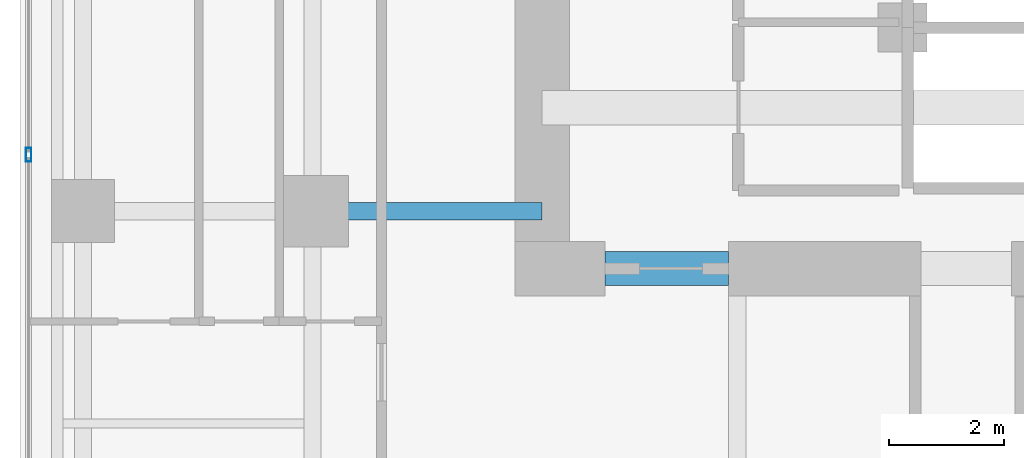
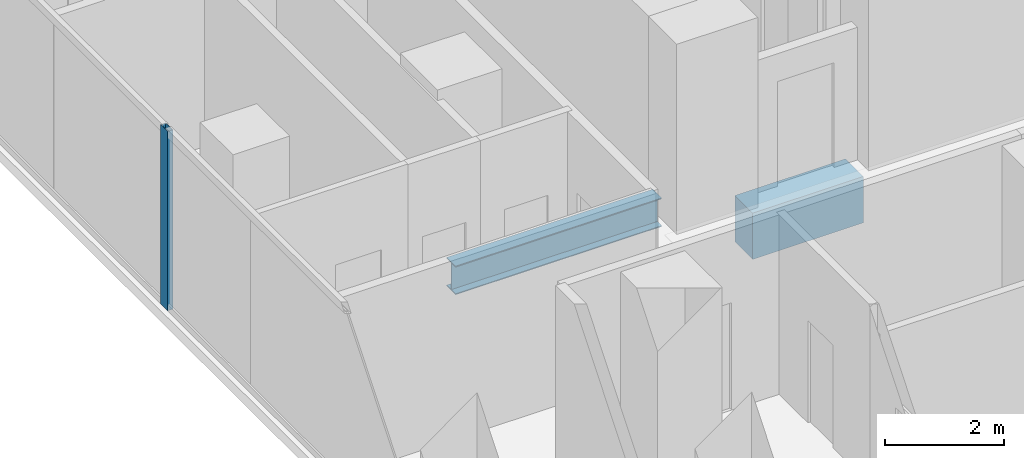
# One storey, part 6 of 29: 2 beams, 1 member, 1 element without a shape of its own.
"""IFC4 building model written with IfcOpenShell, lengths in metres."""

from ifc_helpers import new_model, si_unit, direction, frame, origin, origin_2d, place, context, subcontext, project, spatial, rectangle, hollow_rectangle, i_section, extrude, material, layer, layer_set, material_profile, profile_set, type_object, element, aggregate, save


model = new_model("IFC4")

# Units and contexts
model_context = context("Model", 3, precision=1e-05, world=origin(), true_north=direction((0.0, 1.0)))
body_context = subcontext(model_context, "Body", "Model", "MODEL_VIEW")
ifc_project = project(units=[si_unit("LENGTHUNIT", "METRE"), si_unit("AREAUNIT", "SQUARE_METRE"), si_unit("VOLUMEUNIT", "CUBIC_METRE"), si_unit("PLANEANGLEUNIT", "RADIAN"), si_unit("MASSUNIT", "GRAM", prefix="KILO")], contexts=[model_context])

# Site, building, storey
site_placement = place(None, origin())
site = spatial("IfcSite", under=ifc_project, at=site_placement, CompositionType="ELEMENT")
building_placement = place(site_placement, origin())
building = spatial("IfcBuilding", under=site, at=building_placement, Name="Khorvyn Point Tower", CompositionType="ELEMENT")
storey_placement = place(building_placement, frame((0.0, 0.0, 140.699951171875)))
storey = spatial("IfcBuildingStorey", under=building, at=storey_placement, Name="L35", CompositionType="ELEMENT", Elevation=140.699951171875)

# Curtain wall, member
ifc_material_1 = material(Name="Anodised aluminium 6063-T6 and laminated Low-E glass", Category="aluminium")
ifc_layer = layer(ifc_material_1, 0.18994140625)
ifc_layer_set = layer_set([ifc_layer], Name="Stick-Built Acoustic Curtain Wall CW-SYS-03")
curtain_wall_type = type_object("IfcCurtainWallType", Name="Stick-Built Acoustic Curtain Wall CW-SYS-03", PredefinedType="NOTDEFINED", material=ifc_layer_set)
curtain_wall_placement = place(storey_placement, origin())
curtain_wall = element("IfcCurtainWall", 1, at=curtain_wall_placement, inside=storey, type_object=curtain_wall_type, Name="Curtain Wall", PredefinedType="NOTDEFINED")
ifc_material_2 = material(Name="Anodised aluminium 6063-T6", Category="aluminium")
ifc_material_profile_1 = material_profile(ifc_material_2, hollow_rectangle(XDim=0.10009765625, YDim=0.239990234375, WallThickness=0.0048828125, at=origin_2d()))
ifc_profile_set_1 = profile_set([ifc_material_profile_1], Name="Anodised aluminium 6063-T6 ALU-MUL-100x240")
member_type = type_object("IfcMemberType", Name="Anodised Aluminium 6063-T6 Mullion ALU-MUL-100x240", PredefinedType="MULLION", material=ifc_profile_set_1)
member_placement = place(storey_placement, frame((-19.75, -6.416748046875, 0.0), z_axis=(0.0, 0.0, 1.0), x_axis=(-1.0, 0.0, 0.0)))
member = element("IfcMember", 2, at=member_placement, type_object=member_type, Name="Transom", PredefinedType="MULLION", context=body_context, shape_type="SweptSolid", body=[
    extrude(hollow_rectangle(XDim=0.10009765625, YDim=0.239990234375, WallThickness=0.0048828125, at=origin_2d()), origin(), (0.0, 0.0, 1.0), 3.679931640625),
])
aggregate(curtain_wall, [member])

# Beams
ifc_material_3 = material(Name="Concrete C50/60", Category="concrete")
ifc_material_profile_2 = material_profile(ifc_material_3, rectangle(XDim=0.60009765625, YDim=0.949951171875, at=origin_2d()))
ifc_profile_set_2 = profile_set([ifc_material_profile_2], Name="Concrete C50/60 RC600x950")
beam_type_1 = type_object("IfcBeamType", Name="Concrete C50/60 Beam RC600x950", PredefinedType="BEAM", material=ifc_profile_set_2)
beam_1_placement = place(storey_placement, frame((-9.699951171875, -8.39990234375, -0.695068359375), z_axis=(1.0, 0.0, 0.0), x_axis=(0.0, 1.0, 0.0)))
element("IfcBeam", 3, at=beam_1_placement, inside=storey, type_object=beam_type_1, Name="L35 Core Southwest Portal Coupling Beam", PredefinedType="BEAM", context=body_context, shape_type="SweptSolid", body=[
    extrude(rectangle(XDim=0.60009765625, YDim=0.949951171875, at=origin_2d()), origin(), (0.0, 0.0, 1.0), 2.14990234375),
])
ifc_material_4 = material(Name="Steel S355", Category="steel")
ifc_material_profile_3 = material_profile(ifc_material_4, i_section(OverallWidth=0.300048828125, OverallDepth=0.587890625, WebThickness=0.011962890625, FlangeThickness=0.02001953125, at=origin_2d()))
ifc_profile_set_3 = profile_set([ifc_material_profile_3], Name="Steel S355 H588x300x12x20")
beam_type_2 = type_object("IfcBeamType", Name="Steel S355 Beam H588x300x12x20", PredefinedType="BEAM", material=ifc_profile_set_3)
beam_2_placement = place(storey_placement, frame((-14.800048828125, -7.39990234375, -0.513916015625), z_axis=(1.0, 0.0, 0.0), x_axis=(0.0, 1.0, 0.0)))
element("IfcBeam", 4, at=beam_2_placement, inside=storey, type_object=beam_type_2, Name="Beam", PredefinedType="BEAM", context=body_context, shape_type="SweptSolid", body=[
    extrude(i_section(OverallWidth=0.300048828125, OverallDepth=0.587890625, WebThickness=0.011962890625, FlangeThickness=0.02001953125, at=origin_2d()), origin(), (0.0, 0.0, 1.0), 4.0),
])

save(model, "model.ifc")
